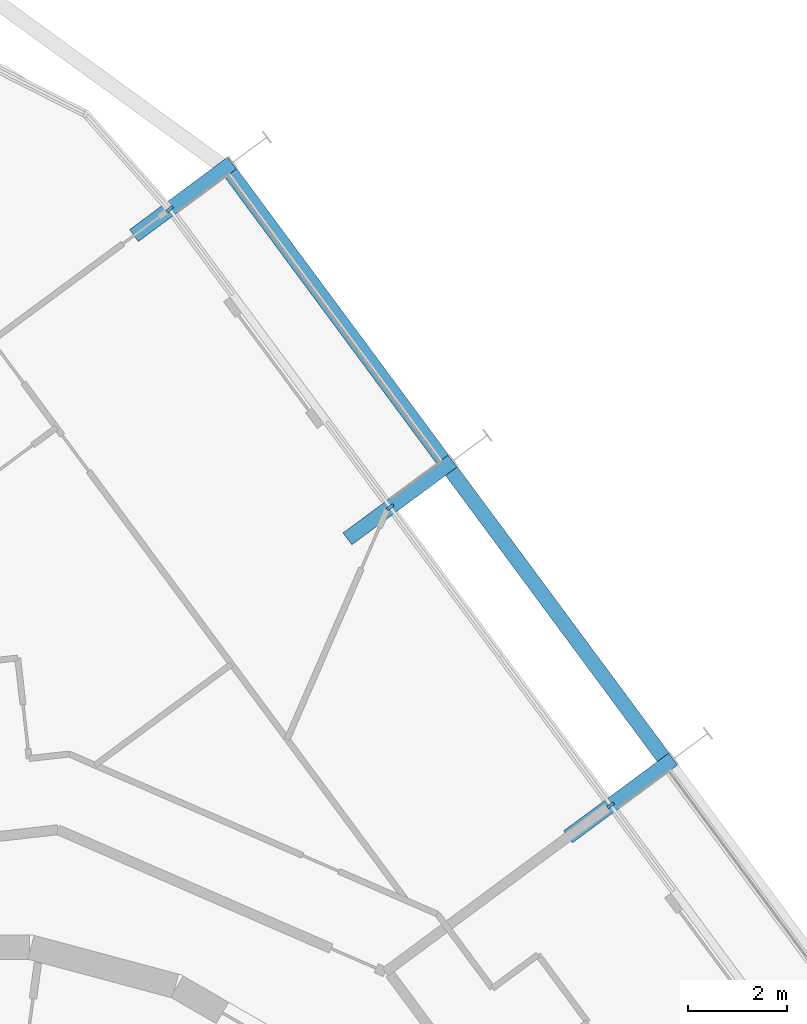
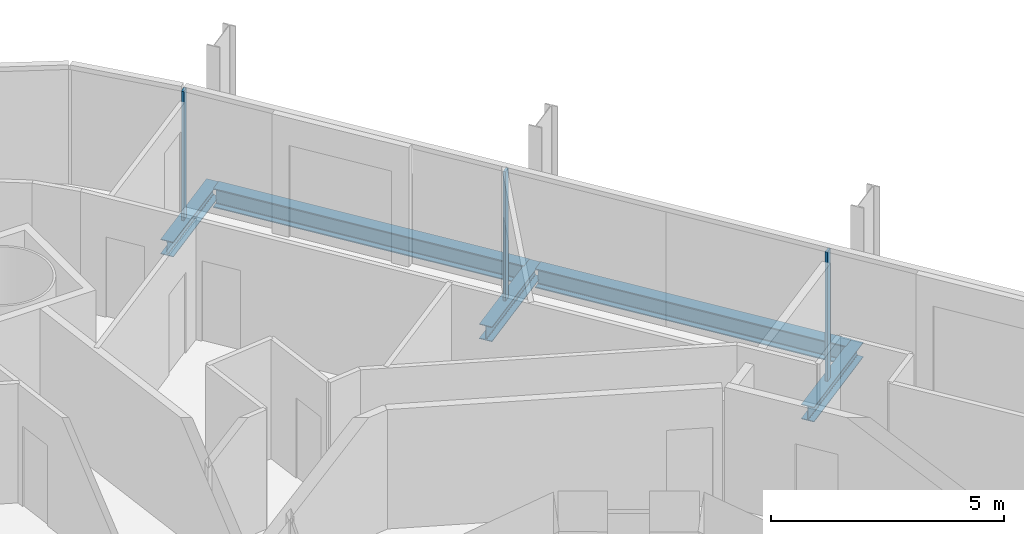
# One storey, part 11 of 24: 5 beams, 3 members, 2 elements without a shape of their own.
"""IFC4 building model written with IfcOpenShell, lengths in metres."""

from ifc_helpers import new_model, si_unit, direction, frame, origin, origin_2d, place, context, subcontext, project, spatial, rectangle, i_section, extrude, material, layer, layer_set, material_profile, profile_set, type_object, element, aggregate, save


model = new_model("IFC4")

# Units and contexts
model_context = context("Model", 3, precision=1e-05, world=origin(), true_north=direction((0.0, 1.0)))
body_context = subcontext(model_context, "Body", "Model", "MODEL_VIEW")
ifc_project = project(units=[si_unit("LENGTHUNIT", "METRE"), si_unit("AREAUNIT", "SQUARE_METRE"), si_unit("VOLUMEUNIT", "CUBIC_METRE"), si_unit("PLANEANGLEUNIT", "RADIAN"), si_unit("MASSUNIT", "GRAM", prefix="KILO")], contexts=[model_context])

# Site, building, storey
site_placement = place(None, origin())
site = spatial("IfcSite", under=ifc_project, at=site_placement, CompositionType="ELEMENT")
building_placement = place(site_placement, origin())
building = spatial("IfcBuilding", under=site, at=building_placement, Name="Spindle Arch Residences", CompositionType="ELEMENT")
storey_placement = place(building_placement, frame((0.0, 0.0, 101.199951171875)))
storey = spatial("IfcBuildingStorey", under=building, at=storey_placement, Name="L24", CompositionType="ELEMENT", Elevation=101.199951171875)

# Curtain wall, members
ifc_material_1 = material(Name="Aluminium bronze unitised frame with tinted glass", Category="aluminium")
ifc_layer_1 = layer(ifc_material_1, 0.159912109375)
ifc_layer_set_1 = layer_set([ifc_layer_1], Name="CW-C typical residential unitised wall")
curtain_wall_type_1 = type_object("IfcCurtainWallType", Name="CW-C typical residential unitised wall", PredefinedType="NOTDEFINED", material=ifc_layer_set_1)
curtain_wall_1_placement = place(storey_placement, origin())
curtain_wall_1 = element("IfcCurtainWall", 1, at=curtain_wall_1_placement, inside=storey, type_object=curtain_wall_type_1, Name="CW-C L24 run 2", PredefinedType="NOTDEFINED")
ifc_material_2 = material(Name="Aluminium bronze anodised mullion", Category="aluminium")
ifc_material_profile_1 = material_profile(ifc_material_2, rectangle(XDim=0.159912109375, YDim=0.06005859375, at=origin_2d()), Name="MU 60x160")
ifc_profile_set_1 = profile_set([ifc_material_profile_1], Name="Aluminium bronze anodised mullion")
member_type = type_object("IfcMemberType", Name="Bronze mullion 60x160", PredefinedType="MULLION", material=ifc_profile_set_1)
member_1_placement = place(storey_placement, frame((13.308349609375, 14.5244140625, -0.3798828125), z_axis=(0.0, 0.0, 1.0), x_axis=(-0.803856860617, -0.594822786751, 0.0)))
member_1 = element("IfcMember", 2, at=member_1_placement, type_object=member_type, Name="CW-C mullion 08", PredefinedType="MULLION", context=body_context, shape_type="SweptSolid", body=[
    extrude(rectangle(XDim=0.159912109375, YDim=0.06005859375, at=origin_2d()), origin(), (0.0, 0.0, 1.0), 3.3798828125),
])
member_2_placement = place(storey_placement, frame((8.8359375, 20.568603515625, -0.3798828125), z_axis=(0.0, 0.0, 1.0), x_axis=(-0.803856860617, -0.594822786751, 0.0)))
member_2 = element("IfcMember", 3, at=member_2_placement, type_object=member_type, Name="CW-C mullion 09", PredefinedType="MULLION", context=body_context, shape_type="SweptSolid", body=[
    extrude(rectangle(XDim=0.159912109375, YDim=0.06005859375, at=origin_2d()), origin(), (0.0, 0.0, 1.0), 3.3798828125),
])
aggregate(curtain_wall_1, [member_1, member_2])

# Curtain wall, member
ifc_material_3 = material(Name="Aluminium bronze unitised frame with tinted glass", Category="aluminium")
ifc_layer_2 = layer(ifc_material_3, 0.159912109375)
ifc_layer_set_2 = layer_set([ifc_layer_2], Name="CW-D corner wall on the fillet arcs")
curtain_wall_type_2 = type_object("IfcCurtainWallType", Name="CW-D corner wall on the fillet arcs", PredefinedType="NOTDEFINED", material=ifc_layer_set_2)
curtain_wall_2_placement = place(storey_placement, origin())
curtain_wall_2 = element("IfcCurtainWall", 4, at=curtain_wall_2_placement, inside=storey, type_object=curtain_wall_type_2, Name="CW-D L24 run 3", PredefinedType="NOTDEFINED")
member_3_placement = place(storey_placement, frame((4.36376953125, 26.612548828125, -0.3798828125), z_axis=(0.0, 0.0, 1.0), x_axis=(-0.750646632877, -0.660703891733, 0.0)))
member_3 = element("IfcMember", 5, at=member_3_placement, type_object=member_type, Name="CW-D mullion 00", PredefinedType="MULLION", context=body_context, shape_type="SweptSolid", body=[
    extrude(rectangle(XDim=0.159912109375, YDim=0.06005859375, at=origin_2d()), origin(), (0.0, 0.0, 1.0), 3.3798828125),
])
aggregate(curtain_wall_2, [member_3])

# Beams
ifc_material_4 = material(Name="Steel S460ML, intumescent coating R 120", Category="steel")
ifc_material_profile_2 = material_profile(ifc_material_4, i_section(OverallWidth=0.300048828125, OverallDepth=0.5, WebThickness=0.014404296875, FlangeThickness=0.028076171875, FilletRadius=0.027099609375, at=origin_2d()), Name="HEB 500")
ifc_profile_set_2 = profile_set([ifc_material_profile_2], Name="Steel S460ML, intumescent coating R 120")
beam_type_1 = type_object("IfcBeamType", Name="Exoskeleton edge beam HEB 500", PredefinedType="BEAM", material=ifc_profile_set_2)
beam_1_placement = place(storey_placement, frame((14.383056640625, 15.481201171875, -0.6298828125), z_axis=(-0.594826923516, 0.803853799556, 0.0), x_axis=(-0.803853799556, -0.594826923516, 0.0)))
element("IfcBeam", 6, at=beam_1_placement, inside=storey, type_object=beam_type_1, Name="Exoskeleton edge beam 9", PredefinedType="BEAM", context=body_context, shape_type="SweptSolid", body=[
    extrude(i_section(OverallWidth=0.300048828125, OverallDepth=0.5, WebThickness=0.014404296875, FlangeThickness=0.028076171875, FilletRadius=0.027099609375, at=origin_2d()), origin(), (0.0, 0.0, 1.0), 7.259033203125),
])
beam_2_placement = place(storey_placement, frame((9.91064453125, 21.525390625, -0.6298828125), z_axis=(-0.594821272041, 0.803857981441, 0.0), x_axis=(-0.803857981441, -0.594821272041, 0.0)))
element("IfcBeam", 7, at=beam_2_placement, inside=storey, type_object=beam_type_1, Name="Exoskeleton edge beam 10", PredefinedType="BEAM", context=body_context, shape_type="SweptSolid", body=[
    extrude(i_section(OverallWidth=0.300048828125, OverallDepth=0.5, WebThickness=0.014404296875, FlangeThickness=0.028076171875, FilletRadius=0.027099609375, at=origin_2d()), origin(), (0.0, 0.0, 1.0), 7.2587890625),
])
ifc_material_5 = material(Name="Steel S460ML, intumescent coating R 120", Category="steel")
ifc_material_profile_3 = material_profile(ifc_material_5, i_section(OverallWidth=0.300048828125, OverallDepth=0.389892578125, WebThickness=0.010986328125, FlangeThickness=0.01904296875, FilletRadius=0.027099609375, at=origin_2d()), Name="HEA 400")
ifc_profile_set_3 = profile_set([ifc_material_profile_3], Name="Steel S460ML, intumescent coating R 120")
beam_type_2 = type_object("IfcBeamType", Name="Floor outrigger HEA 400", PredefinedType="BEAM", material=ifc_profile_set_3)
for number, where, z_axis, x_axis, name in (
    (8, (14.570556640625, 15.458251953125, -0.574951171875), (-0.803896519326, -0.594769187345, 0.0), (0.594769187345, -0.803896519326, 0.0), "Floor outrigger 9"),
    (9, (10.09814453125, 21.502197265625, -0.574951171875), (-0.803896519326, -0.594769187345, 0.0), (0.594769187345, -0.803896519326, 0.0), "Floor outrigger 10"),
):
    element("IfcBeam", number, at=place(storey_placement, frame(where, z_axis=z_axis, x_axis=x_axis)), inside=storey, type_object=beam_type_2, Name=name, PredefinedType="BEAM", context=body_context, shape_type="SweptSolid", body=[
        extrude(i_section(OverallWidth=0.300048828125, OverallDepth=0.389892578125, WebThickness=0.010986328125, FlangeThickness=0.01904296875, FilletRadius=0.027099609375, at=origin_2d()), origin(), (0.0, 0.0, 1.0), 2.650146484375),
    ])
beam_3_placement = place(storey_placement, frame((5.625732421875, 27.54638671875, -0.574951171875), z_axis=(-0.80387213449, -0.594802144743, 0.0), x_axis=(0.594802144743, -0.80387213449, 0.0)))
element("IfcBeam", 10, at=beam_3_placement, inside=storey, type_object=beam_type_2, Name="Floor outrigger 11", PredefinedType="BEAM", context=body_context, shape_type="SweptSolid", body=[
    extrude(i_section(OverallWidth=0.300048828125, OverallDepth=0.389892578125, WebThickness=0.010986328125, FlangeThickness=0.01904296875, FilletRadius=0.027099609375, at=origin_2d()), origin(), (0.0, 0.0, 1.0), 2.470947265625),
])

save(model, "model.ifc")
